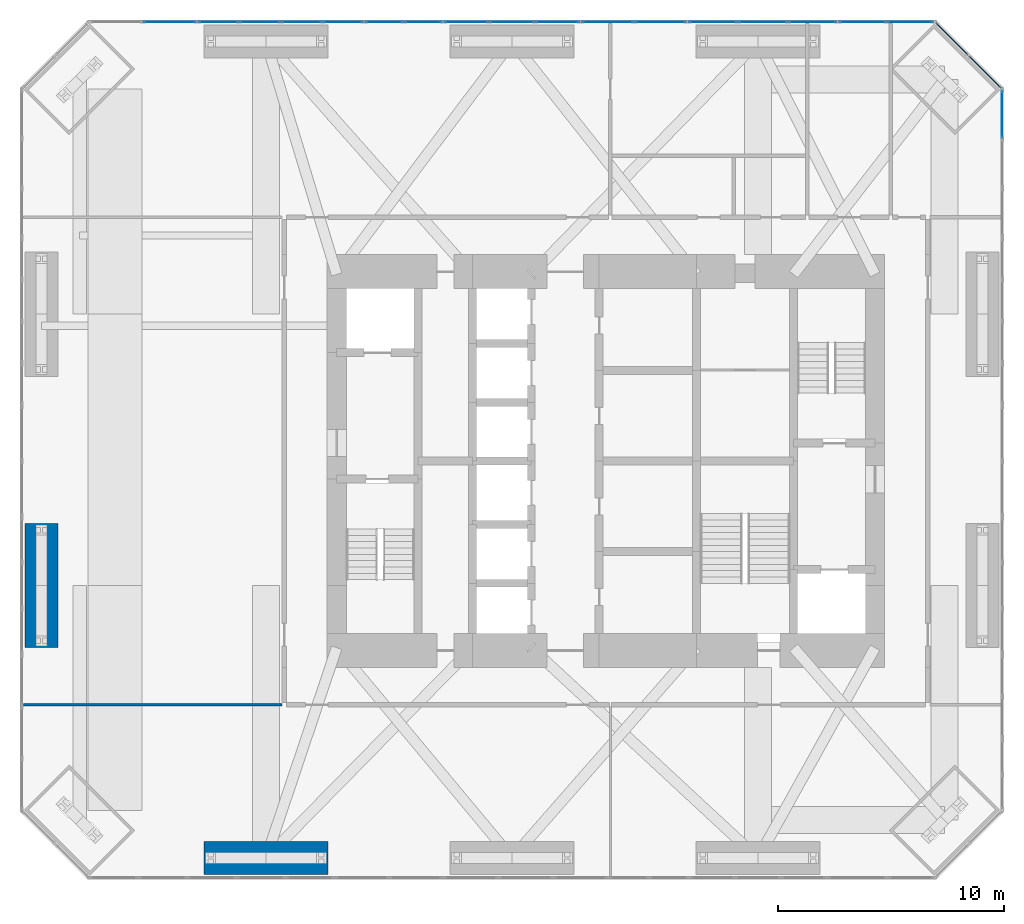
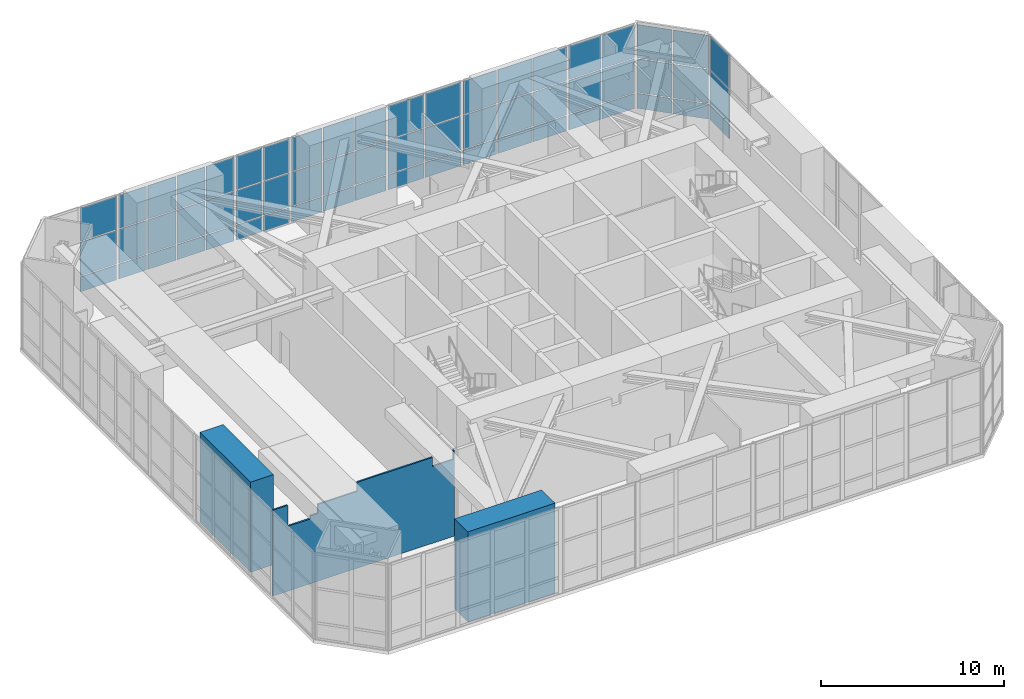
# One storey, part 13 of 18: 60 plates, 3 walls, 9 elements without a shape of their own.
"""IFC4 building model written with IfcOpenShell, lengths in metres."""

from ifc_helpers import new_model, si_unit, direction, frame, frame_2d, origin, origin_2d, place, context, subcontext, project, spatial, polyline, rectangle, outline, extrude, material, layer, layer_set, constituent, constituent_set, type_object, element, aggregate, save


model = new_model("IFC4")

# Units and contexts
model_context = context("Model", 3, precision=1e-05, world=origin(), true_north=direction((0.0, 1.0)))
body_context = subcontext(model_context, "Body", "Model", "MODEL_VIEW")
ifc_project = project(units=[si_unit("LENGTHUNIT", "METRE"), si_unit("AREAUNIT", "SQUARE_METRE"), si_unit("VOLUMEUNIT", "CUBIC_METRE"), si_unit("PLANEANGLEUNIT", "RADIAN"), si_unit("MASSUNIT", "GRAM", prefix="KILO")], contexts=[model_context])

# Site, building, storey
site_placement = place(None, origin())
site = spatial("IfcSite", under=ifc_project, at=site_placement, CompositionType="ELEMENT")
building_placement = place(site_placement, origin())
building = spatial("IfcBuilding", under=site, at=building_placement, Name="Jalousie Tower", CompositionType="ELEMENT")
storey_placement = place(building_placement, frame((0.0, 0.0, 138.35009765625)))
storey = spatial("IfcBuildingStorey", under=building, at=storey_placement, Name="L38", CompositionType="ELEMENT", Elevation=138.35009765625)

# Curtain wall, plates
ifc_material_1 = material(Name="Aluminium curtain wall", Category="aluminium")
curtain_wall_type_1 = type_object("IfcCurtainWallType", Name="SKY LOUNGE SPANDREL WALL", PredefinedType="USERDEFINED", material=ifc_material_1)
curtain_wall_1_placement = place(storey_placement, origin())
curtain_wall_1 = element("IfcCurtainWall", 1, at=curtain_wall_1_placement, inside=storey, type_object=curtain_wall_type_1, Name="Sky Lounge Spandrel Wall L38 4", ObjectType="SKY LOUNGE SPANDREL WALL", PredefinedType="USERDEFINED")
ifc_material_2 = material(Name="Laminated impact-rated spandrel glass", Category="glass")
ifc_layer_1 = layer(ifc_material_2, 0.035888671875)
ifc_layer_set_1 = layer_set([ifc_layer_1], Name="Laminated impact-rated spandrel glass")
plate_type_1 = type_object("IfcPlateType", Name="SKY LOUNGE SPANDREL WALL PANEL", PredefinedType="CURTAIN_PANEL", material=ifc_layer_set_1)
plate_1_placement = place(storey_placement, frame((48.658203125, 35.702880859375, 0.07470703125), z_axis=(0.0, 0.0, 1.0), x_axis=(-0.707106781187, 0.707106781187, 0.0)))
plate_1 = element("IfcPlate", 2, at=plate_1_placement, type_object=plate_type_1, Name="CW-KS panel 1.1", PredefinedType="CURTAIN_PANEL", context=body_context, shape_type="SweptSolid", body=[
    extrude(rectangle(XDim=1.983154296875, YDim=0.035888671875, at=origin_2d()), origin(), (0.0, 0.0, 1.0), 0.987548828125),
])
plate_2_placement = place(storey_placement, frame((48.658203125, 35.702880859375, 1.137451171875), z_axis=(0.0, 0.0, 1.0), x_axis=(-0.707106781187, 0.707106781187, 0.0)))
plate_2 = element("IfcPlate", 3, at=plate_2_placement, type_object=plate_type_1, Name="CW-KS panel 1.2", PredefinedType="CURTAIN_PANEL", context=body_context, shape_type="SweptSolid", body=[
    extrude(rectangle(XDim=1.983154296875, YDim=0.035888671875, at=origin_2d()), origin(), (0.0, 0.0, 1.0), 2.22509765625),
])
plate_3_placement = place(storey_placement, frame((48.658203125, 35.702880859375, 3.4375), z_axis=(0.0, 0.0, 1.0), x_axis=(-0.707106781187, 0.707106781187, 0.0)))
plate_3 = element("IfcPlate", 4, at=plate_3_placement, type_object=plate_type_1, Name="CW-KS panel 1.3", PredefinedType="CURTAIN_PANEL", context=body_context, shape_type="SweptSolid", body=[
    extrude(rectangle(XDim=1.983154296875, YDim=0.035888671875, at=origin_2d()), origin(), (0.0, 0.0, 1.0), 2.20751953125),
])
plate_4_placement = place(storey_placement, frame((47.202880859375, 37.158203125, 0.07470703125), z_axis=(0.0, 0.0, 1.0), x_axis=(-0.707106781187, 0.707106781187, 0.0)))
plate_4 = element("IfcPlate", 5, at=plate_4_placement, type_object=plate_type_1, Name="CW-KS panel 2.1", PredefinedType="CURTAIN_PANEL", context=body_context, shape_type="SweptSolid", body=[
    extrude(rectangle(XDim=1.983154296875, YDim=0.035888671875, at=origin_2d()), origin(), (0.0, 0.0, 1.0), 0.987548828125),
])
plate_5_placement = place(storey_placement, frame((47.202880859375, 37.158203125, 1.137451171875), z_axis=(0.0, 0.0, 1.0), x_axis=(-0.707106781187, 0.707106781187, 0.0)))
plate_5 = element("IfcPlate", 6, at=plate_5_placement, type_object=plate_type_1, Name="CW-KS panel 2.2", PredefinedType="CURTAIN_PANEL", context=body_context, shape_type="SweptSolid", body=[
    extrude(rectangle(XDim=1.983154296875, YDim=0.035888671875, at=origin_2d()), origin(), (0.0, 0.0, 1.0), 2.22509765625),
])
plate_6_placement = place(storey_placement, frame((47.202880859375, 37.158203125, 3.4375), z_axis=(0.0, 0.0, 1.0), x_axis=(-0.707106781187, 0.707106781187, 0.0)))
plate_6 = element("IfcPlate", 7, at=plate_6_placement, type_object=plate_type_1, Name="CW-KS panel 2.3", PredefinedType="CURTAIN_PANEL", context=body_context, shape_type="SweptSolid", body=[
    extrude(rectangle(XDim=1.983154296875, YDim=0.035888671875, at=origin_2d()), origin(), (0.0, 0.0, 1.0), 2.20751953125),
])
aggregate(curtain_wall_1, [plate_1, plate_2, plate_3, plate_4, plate_5, plate_6])

curtain_wall_2_placement = place(storey_placement, origin())
curtain_wall_2 = element("IfcCurtainWall", 8, at=curtain_wall_2_placement, inside=storey, type_object=curtain_wall_type_1, Name="Sky Lounge Spandrel Wall L38 42", ObjectType="SKY LOUNGE SPANDREL WALL", PredefinedType="USERDEFINED")
plate_7_placement = place(storey_placement, frame((41.033935546875, 37.91259765625, 0.07470703125), z_axis=(0.0, 0.0, 1.0), x_axis=(-1.0, 0.0, 0.0)))
plate_7 = element("IfcPlate", 9, at=plate_7_placement, type_object=plate_type_1, Name="CW-KS panel 1.1", PredefinedType="CURTAIN_PANEL", context=body_context, shape_type="SweptSolid", body=[
    extrude(rectangle(XDim=2.1025390625, YDim=0.035888671875, at=origin_2d()), origin(), (0.0, 0.0, 1.0), 0.987548828125),
])
plate_8_placement = place(storey_placement, frame((41.033935546875, 37.91259765625, 1.137451171875), z_axis=(0.0, 0.0, 1.0), x_axis=(-1.0, 0.0, 0.0)))
plate_8 = element("IfcPlate", 10, at=plate_8_placement, type_object=plate_type_1, Name="CW-KS panel 1.2", PredefinedType="CURTAIN_PANEL", context=body_context, shape_type="SweptSolid", body=[
    extrude(rectangle(XDim=2.1025390625, YDim=0.035888671875, at=origin_2d()), origin(), (0.0, 0.0, 1.0), 2.22509765625),
])
plate_9_placement = place(storey_placement, frame((41.033935546875, 37.91259765625, 3.4375), z_axis=(0.0, 0.0, 1.0), x_axis=(-1.0, 0.0, 0.0)))
plate_9 = element("IfcPlate", 11, at=plate_9_placement, type_object=plate_type_1, Name="CW-KS panel 1.3", PredefinedType="CURTAIN_PANEL", context=body_context, shape_type="SweptSolid", body=[
    extrude(rectangle(XDim=2.1025390625, YDim=0.035888671875, at=origin_2d()), origin(), (0.0, 0.0, 1.0), 2.20751953125),
])
plate_10_placement = place(storey_placement, frame((38.837646484375, 37.91259765625, 0.07470703125), z_axis=(0.0, 0.0, 1.0), x_axis=(-1.0, 0.0, 0.0)))
plate_10 = element("IfcPlate", 12, at=plate_10_placement, type_object=plate_type_1, Name="CW-KS panel 2.1", PredefinedType="CURTAIN_PANEL", context=body_context, shape_type="SweptSolid", body=[
    extrude(rectangle(XDim=2.14013671875, YDim=0.035888671875, at=origin_2d()), origin(), (0.0, 0.0, 1.0), 0.987548828125),
])
plate_11_placement = place(storey_placement, frame((38.837646484375, 37.91259765625, 1.137451171875), z_axis=(0.0, 0.0, 1.0), x_axis=(-1.0, 0.0, 0.0)))
plate_11 = element("IfcPlate", 13, at=plate_11_placement, type_object=plate_type_1, Name="CW-KS panel 2.2", PredefinedType="CURTAIN_PANEL", context=body_context, shape_type="SweptSolid", body=[
    extrude(rectangle(XDim=2.14013671875, YDim=0.035888671875, at=origin_2d()), origin(), (0.0, 0.0, 1.0), 2.22509765625),
])
plate_12_placement = place(storey_placement, frame((38.837646484375, 37.91259765625, 3.4375), z_axis=(0.0, 0.0, 1.0), x_axis=(-1.0, 0.0, 0.0)))
plate_12 = element("IfcPlate", 14, at=plate_12_placement, type_object=plate_type_1, Name="CW-KS panel 2.3", PredefinedType="CURTAIN_PANEL", context=body_context, shape_type="SweptSolid", body=[
    extrude(rectangle(XDim=2.14013671875, YDim=0.035888671875, at=origin_2d()), origin(), (0.0, 0.0, 1.0), 2.20751953125),
])
plate_13_placement = place(storey_placement, frame((36.641357421875, 37.91259765625, 0.07470703125), z_axis=(0.0, 0.0, 1.0), x_axis=(-1.0, 0.0, 0.0)))
plate_13 = element("IfcPlate", 15, at=plate_13_placement, type_object=plate_type_1, Name="CW-KS panel 3.1", PredefinedType="CURTAIN_PANEL", context=body_context, shape_type="SweptSolid", body=[
    extrude(rectangle(XDim=2.1025390625, YDim=0.035888671875, at=origin_2d()), origin(), (0.0, 0.0, 1.0), 0.987548828125),
])
plate_14_placement = place(storey_placement, frame((36.641357421875, 37.91259765625, 1.137451171875), z_axis=(0.0, 0.0, 1.0), x_axis=(-1.0, 0.0, 0.0)))
plate_14 = element("IfcPlate", 16, at=plate_14_placement, type_object=plate_type_1, Name="CW-KS panel 3.2", PredefinedType="CURTAIN_PANEL", context=body_context, shape_type="SweptSolid", body=[
    extrude(rectangle(XDim=2.1025390625, YDim=0.035888671875, at=origin_2d()), origin(), (0.0, 0.0, 1.0), 2.22509765625),
])
plate_15_placement = place(storey_placement, frame((36.641357421875, 37.91259765625, 3.4375), z_axis=(0.0, 0.0, 1.0), x_axis=(-1.0, 0.0, 0.0)))
plate_15 = element("IfcPlate", 17, at=plate_15_placement, type_object=plate_type_1, Name="CW-KS panel 3.3", PredefinedType="CURTAIN_PANEL", context=body_context, shape_type="SweptSolid", body=[
    extrude(rectangle(XDim=2.1025390625, YDim=0.035888671875, at=origin_2d()), origin(), (0.0, 0.0, 1.0), 2.20751953125),
])
aggregate(curtain_wall_2, [plate_7, plate_8, plate_9, plate_10, plate_11, plate_12, plate_13, plate_14, plate_15])

curtain_wall_3_placement = place(storey_placement, origin())
curtain_wall_3 = element("IfcCurtainWall", 18, at=curtain_wall_3_placement, inside=storey, type_object=curtain_wall_type_1, Name="Sky Lounge Spandrel Wall L38 44", ObjectType="SKY LOUNGE SPANDREL WALL", PredefinedType="USERDEFINED")
plate_16_placement = place(storey_placement, frame((29.757568359375, 37.91259765625, 0.07470703125), z_axis=(0.0, 0.0, 1.0), x_axis=(-1.0, 0.0, 0.0)))
plate_16 = element("IfcPlate", 19, at=plate_16_placement, type_object=plate_type_1, Name="CW-KS panel 1.1", PredefinedType="CURTAIN_PANEL", context=body_context, shape_type="SweptSolid", body=[
    extrude(rectangle(XDim=1.913818359375, YDim=0.035888671875, at=origin_2d()), origin(), (0.0, 0.0, 1.0), 0.987548828125),
])
plate_17_placement = place(storey_placement, frame((29.757568359375, 37.91259765625, 1.137451171875), z_axis=(0.0, 0.0, 1.0), x_axis=(-1.0, 0.0, 0.0)))
plate_17 = element("IfcPlate", 20, at=plate_17_placement, type_object=plate_type_1, Name="CW-KS panel 1.2", PredefinedType="CURTAIN_PANEL", context=body_context, shape_type="SweptSolid", body=[
    extrude(rectangle(XDim=1.913818359375, YDim=0.035888671875, at=origin_2d()), origin(), (0.0, 0.0, 1.0), 2.22509765625),
])
plate_18_placement = place(storey_placement, frame((29.757568359375, 37.91259765625, 3.4375), z_axis=(0.0, 0.0, 1.0), x_axis=(-1.0, 0.0, 0.0)))
plate_18 = element("IfcPlate", 21, at=plate_18_placement, type_object=plate_type_1, Name="CW-KS panel 1.3", PredefinedType="CURTAIN_PANEL", context=body_context, shape_type="SweptSolid", body=[
    extrude(rectangle(XDim=1.913818359375, YDim=0.035888671875, at=origin_2d()), origin(), (0.0, 0.0, 1.0), 2.20751953125),
])
plate_19_placement = place(storey_placement, frame((27.75, 37.91259765625, 0.07470703125), z_axis=(0.0, 0.0, 1.0), x_axis=(-1.0, 0.0, 0.0)))
plate_19 = element("IfcPlate", 22, at=plate_19_placement, type_object=plate_type_1, Name="CW-KS panel 2.1", PredefinedType="CURTAIN_PANEL", context=body_context, shape_type="SweptSolid", body=[
    extrude(rectangle(XDim=1.951416015625, YDim=0.035888671875, at=origin_2d()), origin(), (0.0, 0.0, 1.0), 0.987548828125),
])
plate_20_placement = place(storey_placement, frame((27.75, 37.91259765625, 1.137451171875), z_axis=(0.0, 0.0, 1.0), x_axis=(-1.0, 0.0, 0.0)))
plate_20 = element("IfcPlate", 23, at=plate_20_placement, type_object=plate_type_1, Name="CW-KS panel 2.2", PredefinedType="CURTAIN_PANEL", context=body_context, shape_type="SweptSolid", body=[
    extrude(rectangle(XDim=1.951416015625, YDim=0.035888671875, at=origin_2d()), origin(), (0.0, 0.0, 1.0), 2.22509765625),
])
plate_21_placement = place(storey_placement, frame((27.75, 37.91259765625, 3.4375), z_axis=(0.0, 0.0, 1.0), x_axis=(-1.0, 0.0, 0.0)))
plate_21 = element("IfcPlate", 24, at=plate_21_placement, type_object=plate_type_1, Name="CW-KS panel 2.3", PredefinedType="CURTAIN_PANEL", context=body_context, shape_type="SweptSolid", body=[
    extrude(rectangle(XDim=1.951416015625, YDim=0.035888671875, at=origin_2d()), origin(), (0.0, 0.0, 1.0), 2.20751953125),
])
plate_22_placement = place(storey_placement, frame((25.742431640625, 37.91259765625, 0.07470703125), z_axis=(0.0, 0.0, 1.0), x_axis=(-1.0, 0.0, 0.0)))
plate_22 = element("IfcPlate", 25, at=plate_22_placement, type_object=plate_type_1, Name="CW-KS panel 3.1", PredefinedType="CURTAIN_PANEL", context=body_context, shape_type="SweptSolid", body=[
    extrude(rectangle(XDim=1.913818359375, YDim=0.035888671875, at=origin_2d()), origin(), (0.0, 0.0, 1.0), 0.987548828125),
])
plate_23_placement = place(storey_placement, frame((25.742431640625, 37.91259765625, 1.137451171875), z_axis=(0.0, 0.0, 1.0), x_axis=(-1.0, 0.0, 0.0)))
plate_23 = element("IfcPlate", 26, at=plate_23_placement, type_object=plate_type_1, Name="CW-KS panel 3.2", PredefinedType="CURTAIN_PANEL", context=body_context, shape_type="SweptSolid", body=[
    extrude(rectangle(XDim=1.913818359375, YDim=0.035888671875, at=origin_2d()), origin(), (0.0, 0.0, 1.0), 2.22509765625),
])
plate_24_placement = place(storey_placement, frame((25.742431640625, 37.91259765625, 3.4375), z_axis=(0.0, 0.0, 1.0), x_axis=(-1.0, 0.0, 0.0)))
plate_24 = element("IfcPlate", 27, at=plate_24_placement, type_object=plate_type_1, Name="CW-KS panel 3.3", PredefinedType="CURTAIN_PANEL", context=body_context, shape_type="SweptSolid", body=[
    extrude(rectangle(XDim=1.913818359375, YDim=0.035888671875, at=origin_2d()), origin(), (0.0, 0.0, 1.0), 2.20751953125),
])
aggregate(curtain_wall_3, [plate_16, plate_17, plate_18, plate_19, plate_20, plate_21, plate_22, plate_23, plate_24])

curtain_wall_4_placement = place(storey_placement, origin())
curtain_wall_4 = element("IfcCurtainWall", 28, at=curtain_wall_4_placement, inside=storey, type_object=curtain_wall_type_1, Name="Sky Lounge Spandrel Wall L38 46", ObjectType="SKY LOUNGE SPANDREL WALL", PredefinedType="USERDEFINED")
plate_25_placement = place(storey_placement, frame((20.278076171875, 37.91259765625, 0.07470703125), z_axis=(0.0, 0.0, 1.0), x_axis=(-1.0, 0.0, 0.0)))
plate_25 = element("IfcPlate", 29, at=plate_25_placement, type_object=plate_type_1, Name="CW-KS panel 1.1", PredefinedType="CURTAIN_PANEL", context=body_context, shape_type="SweptSolid", body=[
    extrude(rectangle(XDim=1.733642578125, YDim=0.035888671875, at=origin_2d()), origin(), (0.0, 0.0, 1.0), 0.987548828125),
])
plate_26_placement = place(storey_placement, frame((20.278076171875, 37.91259765625, 1.137451171875), z_axis=(0.0, 0.0, 1.0), x_axis=(-1.0, 0.0, 0.0)))
plate_26 = element("IfcPlate", 30, at=plate_26_placement, type_object=plate_type_1, Name="CW-KS panel 1.2", PredefinedType="CURTAIN_PANEL", context=body_context, shape_type="SweptSolid", body=[
    extrude(rectangle(XDim=1.733642578125, YDim=0.035888671875, at=origin_2d()), origin(), (0.0, 0.0, 1.0), 2.22509765625),
])
plate_27_placement = place(storey_placement, frame((20.278076171875, 37.91259765625, 3.4375), z_axis=(0.0, 0.0, 1.0), x_axis=(-1.0, 0.0, 0.0)))
plate_27 = element("IfcPlate", 31, at=plate_27_placement, type_object=plate_type_1, Name="CW-KS panel 1.3", PredefinedType="CURTAIN_PANEL", context=body_context, shape_type="SweptSolid", body=[
    extrude(rectangle(XDim=1.733642578125, YDim=0.035888671875, at=origin_2d()), origin(), (0.0, 0.0, 1.0), 2.20751953125),
])
plate_28_placement = place(storey_placement, frame((18.450927734375, 37.91259765625, 0.07470703125), z_axis=(0.0, 0.0, 1.0), x_axis=(-1.0, 0.0, 0.0)))
plate_28 = element("IfcPlate", 32, at=plate_28_placement, type_object=plate_type_1, Name="CW-KS panel 2.1", PredefinedType="CURTAIN_PANEL", context=body_context, shape_type="SweptSolid", body=[
    extrude(rectangle(XDim=1.771240234375, YDim=0.035888671875, at=origin_2d()), origin(), (0.0, 0.0, 1.0), 0.987548828125),
])
plate_29_placement = place(storey_placement, frame((18.450927734375, 37.91259765625, 1.137451171875), z_axis=(0.0, 0.0, 1.0), x_axis=(-1.0, 0.0, 0.0)))
plate_29 = element("IfcPlate", 33, at=plate_29_placement, type_object=plate_type_1, Name="CW-KS panel 2.2", PredefinedType="CURTAIN_PANEL", context=body_context, shape_type="SweptSolid", body=[
    extrude(rectangle(XDim=1.771240234375, YDim=0.035888671875, at=origin_2d()), origin(), (0.0, 0.0, 1.0), 2.22509765625),
])
plate_30_placement = place(storey_placement, frame((18.450927734375, 37.91259765625, 3.4375), z_axis=(0.0, 0.0, 1.0), x_axis=(-1.0, 0.0, 0.0)))
plate_30 = element("IfcPlate", 34, at=plate_30_placement, type_object=plate_type_1, Name="CW-KS panel 2.3", PredefinedType="CURTAIN_PANEL", context=body_context, shape_type="SweptSolid", body=[
    extrude(rectangle(XDim=1.771240234375, YDim=0.035888671875, at=origin_2d()), origin(), (0.0, 0.0, 1.0), 2.20751953125),
])
plate_31_placement = place(storey_placement, frame((16.604736328125, 37.91259765625, 0.07470703125), z_axis=(0.0, 0.0, 1.0), x_axis=(-1.0, 0.0, 0.0)))
plate_31 = element("IfcPlate", 35, at=plate_31_placement, type_object=plate_type_1, Name="CW-KS panel 3.1", PredefinedType="CURTAIN_PANEL", context=body_context, shape_type="SweptSolid", body=[
    extrude(rectangle(XDim=1.771240234375, YDim=0.035888671875, at=origin_2d()), origin(), (0.0, 0.0, 1.0), 0.987548828125),
])
plate_32_placement = place(storey_placement, frame((16.604736328125, 37.91259765625, 1.137451171875), z_axis=(0.0, 0.0, 1.0), x_axis=(-1.0, 0.0, 0.0)))
plate_32 = element("IfcPlate", 36, at=plate_32_placement, type_object=plate_type_1, Name="CW-KS panel 3.2", PredefinedType="CURTAIN_PANEL", context=body_context, shape_type="SweptSolid", body=[
    extrude(rectangle(XDim=1.771240234375, YDim=0.035888671875, at=origin_2d()), origin(), (0.0, 0.0, 1.0), 2.22509765625),
])
plate_33_placement = place(storey_placement, frame((16.604736328125, 37.91259765625, 3.4375), z_axis=(0.0, 0.0, 1.0), x_axis=(-1.0, 0.0, 0.0)))
plate_33 = element("IfcPlate", 37, at=plate_33_placement, type_object=plate_type_1, Name="CW-KS panel 3.3", PredefinedType="CURTAIN_PANEL", context=body_context, shape_type="SweptSolid", body=[
    extrude(rectangle(XDim=1.771240234375, YDim=0.035888671875, at=origin_2d()), origin(), (0.0, 0.0, 1.0), 2.20751953125),
])
plate_34_placement = place(storey_placement, frame((14.77734375, 37.91259765625, 0.07470703125), z_axis=(0.0, 0.0, 1.0), x_axis=(-1.0, 0.0, 0.0)))
plate_34 = element("IfcPlate", 38, at=plate_34_placement, type_object=plate_type_1, Name="CW-KS panel 4.1", PredefinedType="CURTAIN_PANEL", context=body_context, shape_type="SweptSolid", body=[
    extrude(rectangle(XDim=1.733642578125, YDim=0.035888671875, at=origin_2d()), origin(), (0.0, 0.0, 1.0), 0.987548828125),
])
plate_35_placement = place(storey_placement, frame((14.77734375, 37.91259765625, 1.137451171875), z_axis=(0.0, 0.0, 1.0), x_axis=(-1.0, 0.0, 0.0)))
plate_35 = element("IfcPlate", 39, at=plate_35_placement, type_object=plate_type_1, Name="CW-KS panel 4.2", PredefinedType="CURTAIN_PANEL", context=body_context, shape_type="SweptSolid", body=[
    extrude(rectangle(XDim=1.733642578125, YDim=0.035888671875, at=origin_2d()), origin(), (0.0, 0.0, 1.0), 2.22509765625),
])
plate_36_placement = place(storey_placement, frame((14.77734375, 37.91259765625, 3.4375), z_axis=(0.0, 0.0, 1.0), x_axis=(-1.0, 0.0, 0.0)))
plate_36 = element("IfcPlate", 40, at=plate_36_placement, type_object=plate_type_1, Name="CW-KS panel 4.3", PredefinedType="CURTAIN_PANEL", context=body_context, shape_type="SweptSolid", body=[
    extrude(rectangle(XDim=1.733642578125, YDim=0.035888671875, at=origin_2d()), origin(), (0.0, 0.0, 1.0), 2.20751953125),
])
aggregate(curtain_wall_4, [plate_25, plate_26, plate_27, plate_28, plate_29, plate_30, plate_31, plate_32, plate_33, plate_34, plate_35, plate_36])

ifc_material_3 = material(Name="Aluminium curtain wall", Category="aluminium")
curtain_wall_type_2 = type_object("IfcCurtainWallType", Name="SKY LOUNGE WINDOW WALL", PredefinedType="USERDEFINED", material=ifc_material_3)
curtain_wall_5_placement = place(storey_placement, origin())
curtain_wall_5 = element("IfcCurtainWall", 41, at=curtain_wall_5_placement, inside=storey, type_object=curtain_wall_type_2, Name="Sky Lounge Window Wall L38 26", ObjectType="SKY LOUNGE WINDOW WALL", PredefinedType="USERDEFINED")
ifc_material_4 = material(Name="Laminated impact-rated glass", Category="glass")
ifc_layer_2 = layer(ifc_material_4, 0.035888671875)
ifc_layer_set_2 = layer_set([ifc_layer_2], Name="Laminated impact-rated glass")
plate_type_2 = type_object("IfcPlateType", Name="SKY LOUNGE WINDOW WALL PANEL", PredefinedType="CURTAIN_PANEL", material=ifc_layer_set_2)
plate_37_placement = place(storey_placement, frame((49.41259765625, 33.833984375, 0.07470703125), z_axis=(0.0, 0.0, 1.0), x_axis=(0.0, 1.0, 0.0)))
plate_37 = element("IfcPlate", 42, at=plate_37_placement, type_object=plate_type_2, Name="CW-K panel 3.1", PredefinedType="CURTAIN_PANEL", context=body_context, shape_type="SweptSolid", body=[
    extrude(rectangle(XDim=2.07958984375, YDim=0.035888671875, at=origin_2d()), origin(), (0.0, 0.0, 1.0), 0.987548828125),
])
plate_38_placement = place(storey_placement, frame((49.41259765625, 33.833984375, 1.137451171875), z_axis=(0.0, 0.0, 1.0), x_axis=(0.0, 1.0, 0.0)))
plate_38 = element("IfcPlate", 43, at=plate_38_placement, type_object=plate_type_2, Name="CW-K panel 3.2", PredefinedType="CURTAIN_PANEL", context=body_context, shape_type="SweptSolid", body=[
    extrude(rectangle(XDim=2.07958984375, YDim=0.035888671875, at=origin_2d()), origin(), (0.0, 0.0, 1.0), 2.22509765625),
])
plate_39_placement = place(storey_placement, frame((49.41259765625, 33.833984375, 3.4375), z_axis=(0.0, 0.0, 1.0), x_axis=(0.0, 1.0, 0.0)))
plate_39 = element("IfcPlate", 44, at=plate_39_placement, type_object=plate_type_2, Name="CW-K panel 3.3", PredefinedType="CURTAIN_PANEL", context=body_context, shape_type="SweptSolid", body=[
    extrude(rectangle(XDim=2.07958984375, YDim=0.035888671875, at=origin_2d()), origin(), (0.0, 0.0, 1.0), 2.20751953125),
])
aggregate(curtain_wall_5, [plate_37, plate_38, plate_39])

curtain_wall_6_placement = place(storey_placement, origin())
curtain_wall_6 = element("IfcCurtainWall", 45, at=curtain_wall_6_placement, inside=storey, type_object=curtain_wall_type_2, Name="Sky Lounge Window Wall L38 41", ObjectType="SKY LOUNGE WINDOW WALL", PredefinedType="USERDEFINED")
plate_40_placement = place(storey_placement, frame((45.35791015625, 37.91259765625, 0.07470703125), z_axis=(0.0, 0.0, 1.0), x_axis=(-1.0, 0.0, 0.0)))
plate_40 = element("IfcPlate", 46, at=plate_40_placement, type_object=plate_type_2, Name="CW-K panel 1.1", PredefinedType="CURTAIN_PANEL", context=body_context, shape_type="SweptSolid", body=[
    extrude(rectangle(XDim=2.03173828125, YDim=0.035888671875, at=origin_2d()), origin(), (0.0, 0.0, 1.0), 0.987548828125),
])
plate_41_placement = place(storey_placement, frame((45.35791015625, 37.91259765625, 1.137451171875), z_axis=(0.0, 0.0, 1.0), x_axis=(-1.0, 0.0, 0.0)))
plate_41 = element("IfcPlate", 47, at=plate_41_placement, type_object=plate_type_2, Name="CW-K panel 1.2", PredefinedType="CURTAIN_PANEL", context=body_context, shape_type="SweptSolid", body=[
    extrude(rectangle(XDim=2.03173828125, YDim=0.035888671875, at=origin_2d()), origin(), (0.0, 0.0, 1.0), 2.22509765625),
])
plate_42_placement = place(storey_placement, frame((45.35791015625, 37.91259765625, 3.4375), z_axis=(0.0, 0.0, 1.0), x_axis=(-1.0, 0.0, 0.0)))
plate_42 = element("IfcPlate", 48, at=plate_42_placement, type_object=plate_type_2, Name="CW-K panel 1.3", PredefinedType="CURTAIN_PANEL", context=body_context, shape_type="SweptSolid", body=[
    extrude(rectangle(XDim=2.03173828125, YDim=0.035888671875, at=origin_2d()), origin(), (0.0, 0.0, 1.0), 2.20751953125),
])
plate_43_placement = place(storey_placement, frame((43.2509765625, 37.91259765625, 0.07470703125), z_axis=(0.0, 0.0, 1.0), x_axis=(-1.0, 0.0, 0.0)))
plate_43 = element("IfcPlate", 49, at=plate_43_placement, type_object=plate_type_2, Name="CW-K panel 2.1", PredefinedType="CURTAIN_PANEL", context=body_context, shape_type="SweptSolid", body=[
    extrude(rectangle(XDim=2.03173828125, YDim=0.035888671875, at=origin_2d()), origin(), (0.0, 0.0, 1.0), 0.987548828125),
])
plate_44_placement = place(storey_placement, frame((43.2509765625, 37.91259765625, 1.137451171875), z_axis=(0.0, 0.0, 1.0), x_axis=(-1.0, 0.0, 0.0)))
plate_44 = element("IfcPlate", 50, at=plate_44_placement, type_object=plate_type_2, Name="CW-K panel 2.2", PredefinedType="CURTAIN_PANEL", context=body_context, shape_type="SweptSolid", body=[
    extrude(rectangle(XDim=2.03173828125, YDim=0.035888671875, at=origin_2d()), origin(), (0.0, 0.0, 1.0), 2.22509765625),
])
plate_45_placement = place(storey_placement, frame((43.2509765625, 37.91259765625, 3.4375), z_axis=(0.0, 0.0, 1.0), x_axis=(-1.0, 0.0, 0.0)))
plate_45 = element("IfcPlate", 51, at=plate_45_placement, type_object=plate_type_2, Name="CW-K panel 2.3", PredefinedType="CURTAIN_PANEL", context=body_context, shape_type="SweptSolid", body=[
    extrude(rectangle(XDim=2.03173828125, YDim=0.035888671875, at=origin_2d()), origin(), (0.0, 0.0, 1.0), 2.20751953125),
])
aggregate(curtain_wall_6, [plate_40, plate_41, plate_42, plate_43, plate_44, plate_45])

curtain_wall_7_placement = place(storey_placement, origin())
curtain_wall_7 = element("IfcCurtainWall", 52, at=curtain_wall_7_placement, inside=storey, type_object=curtain_wall_type_2, Name="Sky Lounge Window Wall L38 43", ObjectType="SKY LOUNGE WINDOW WALL", PredefinedType="USERDEFINED")
plate_46_placement = place(storey_placement, frame((34.31494140625, 37.91259765625, 0.07470703125), z_axis=(0.0, 0.0, 1.0), x_axis=(-1.0, 0.0, 0.0)))
plate_46 = element("IfcPlate", 53, at=plate_46_placement, type_object=plate_type_2, Name="CW-K panel 1.1", PredefinedType="CURTAIN_PANEL", context=body_context, shape_type="SweptSolid", body=[
    extrude(rectangle(XDim=2.250244140625, YDim=0.035888671875, at=origin_2d()), origin(), (0.0, 0.0, 1.0), 0.987548828125),
])
plate_47_placement = place(storey_placement, frame((34.31494140625, 37.91259765625, 1.137451171875), z_axis=(0.0, 0.0, 1.0), x_axis=(-1.0, 0.0, 0.0)))
plate_47 = element("IfcPlate", 54, at=plate_47_placement, type_object=plate_type_2, Name="CW-K panel 1.2", PredefinedType="CURTAIN_PANEL", context=body_context, shape_type="SweptSolid", body=[
    extrude(rectangle(XDim=2.250244140625, YDim=0.035888671875, at=origin_2d()), origin(), (0.0, 0.0, 1.0), 2.22509765625),
])
plate_48_placement = place(storey_placement, frame((34.31494140625, 37.91259765625, 3.4375), z_axis=(0.0, 0.0, 1.0), x_axis=(-1.0, 0.0, 0.0)))
plate_48 = element("IfcPlate", 55, at=plate_48_placement, type_object=plate_type_2, Name="CW-K panel 1.3", PredefinedType="CURTAIN_PANEL", context=body_context, shape_type="SweptSolid", body=[
    extrude(rectangle(XDim=2.250244140625, YDim=0.035888671875, at=origin_2d()), origin(), (0.0, 0.0, 1.0), 2.20751953125),
])
plate_49_placement = place(storey_placement, frame((31.98974609375, 37.91259765625, 0.07470703125), z_axis=(0.0, 0.0, 1.0), x_axis=(-1.0, 0.0, 0.0)))
plate_49 = element("IfcPlate", 56, at=plate_49_placement, type_object=plate_type_2, Name="CW-K panel 2.1", PredefinedType="CURTAIN_PANEL", context=body_context, shape_type="SweptSolid", body=[
    extrude(rectangle(XDim=2.250244140625, YDim=0.035888671875, at=origin_2d()), origin(), (0.0, 0.0, 1.0), 0.987548828125),
])
plate_50_placement = place(storey_placement, frame((31.98974609375, 37.91259765625, 1.137451171875), z_axis=(0.0, 0.0, 1.0), x_axis=(-1.0, 0.0, 0.0)))
plate_50 = element("IfcPlate", 57, at=plate_50_placement, type_object=plate_type_2, Name="CW-K panel 2.2", PredefinedType="CURTAIN_PANEL", context=body_context, shape_type="SweptSolid", body=[
    extrude(rectangle(XDim=2.250244140625, YDim=0.035888671875, at=origin_2d()), origin(), (0.0, 0.0, 1.0), 2.22509765625),
])
plate_51_placement = place(storey_placement, frame((31.98974609375, 37.91259765625, 3.4375), z_axis=(0.0, 0.0, 1.0), x_axis=(-1.0, 0.0, 0.0)))
plate_51 = element("IfcPlate", 58, at=plate_51_placement, type_object=plate_type_2, Name="CW-K panel 2.3", PredefinedType="CURTAIN_PANEL", context=body_context, shape_type="SweptSolid", body=[
    extrude(rectangle(XDim=2.250244140625, YDim=0.035888671875, at=origin_2d()), origin(), (0.0, 0.0, 1.0), 2.20751953125),
])
aggregate(curtain_wall_7, [plate_46, plate_47, plate_48, plate_49, plate_50, plate_51])

curtain_wall_8_placement = place(storey_placement, origin())
curtain_wall_8 = element("IfcCurtainWall", 59, at=curtain_wall_8_placement, inside=storey, type_object=curtain_wall_type_2, Name="Sky Lounge Window Wall L38 45", ObjectType="SKY LOUNGE WINDOW WALL", PredefinedType="USERDEFINED")
plate_52_placement = place(storey_placement, frame((23.819091796875, 37.91259765625, 0.07470703125), z_axis=(0.0, 0.0, 1.0), x_axis=(-1.0, 0.0, 0.0)))
plate_52 = element("IfcPlate", 60, at=plate_52_placement, type_object=plate_type_2, Name="CW-K panel 1.1", PredefinedType="CURTAIN_PANEL", context=body_context, shape_type="SweptSolid", body=[
    extrude(rectangle(XDim=1.6328125, YDim=0.035888671875, at=origin_2d()), origin(), (0.0, 0.0, 1.0), 0.987548828125),
])
plate_53_placement = place(storey_placement, frame((23.819091796875, 37.91259765625, 1.137451171875), z_axis=(0.0, 0.0, 1.0), x_axis=(-1.0, 0.0, 0.0)))
plate_53 = element("IfcPlate", 61, at=plate_53_placement, type_object=plate_type_2, Name="CW-K panel 1.2", PredefinedType="CURTAIN_PANEL", context=body_context, shape_type="SweptSolid", body=[
    extrude(rectangle(XDim=1.6328125, YDim=0.035888671875, at=origin_2d()), origin(), (0.0, 0.0, 1.0), 2.22509765625),
])
plate_54_placement = place(storey_placement, frame((23.819091796875, 37.91259765625, 3.4375), z_axis=(0.0, 0.0, 1.0), x_axis=(-1.0, 0.0, 0.0)))
plate_54 = element("IfcPlate", 62, at=plate_54_placement, type_object=plate_type_2, Name="CW-K panel 1.3", PredefinedType="CURTAIN_PANEL", context=body_context, shape_type="SweptSolid", body=[
    extrude(rectangle(XDim=1.6328125, YDim=0.035888671875, at=origin_2d()), origin(), (0.0, 0.0, 1.0), 2.20751953125),
])
plate_55_placement = place(storey_placement, frame((22.111328125, 37.91259765625, 0.07470703125), z_axis=(0.0, 0.0, 1.0), x_axis=(-1.0, 0.0, 0.0)))
plate_55 = element("IfcPlate", 63, at=plate_55_placement, type_object=plate_type_2, Name="CW-K panel 2.1", PredefinedType="CURTAIN_PANEL", context=body_context, shape_type="SweptSolid", body=[
    extrude(rectangle(XDim=1.6328125, YDim=0.035888671875, at=origin_2d()), origin(), (0.0, 0.0, 1.0), 0.987548828125),
])
plate_56_placement = place(storey_placement, frame((22.111328125, 37.91259765625, 1.137451171875), z_axis=(0.0, 0.0, 1.0), x_axis=(-1.0, 0.0, 0.0)))
plate_56 = element("IfcPlate", 64, at=plate_56_placement, type_object=plate_type_2, Name="CW-K panel 2.2", PredefinedType="CURTAIN_PANEL", context=body_context, shape_type="SweptSolid", body=[
    extrude(rectangle(XDim=1.6328125, YDim=0.035888671875, at=origin_2d()), origin(), (0.0, 0.0, 1.0), 2.22509765625),
])
plate_57_placement = place(storey_placement, frame((22.111328125, 37.91259765625, 3.4375), z_axis=(0.0, 0.0, 1.0), x_axis=(-1.0, 0.0, 0.0)))
plate_57 = element("IfcPlate", 65, at=plate_57_placement, type_object=plate_type_2, Name="CW-K panel 2.3", PredefinedType="CURTAIN_PANEL", context=body_context, shape_type="SweptSolid", body=[
    extrude(rectangle(XDim=1.6328125, YDim=0.035888671875, at=origin_2d()), origin(), (0.0, 0.0, 1.0), 2.20751953125),
])
aggregate(curtain_wall_8, [plate_52, plate_53, plate_54, plate_55, plate_56, plate_57])

curtain_wall_9_placement = place(storey_placement, origin())
curtain_wall_9 = element("IfcCurtainWall", 66, at=curtain_wall_9_placement, inside=storey, type_object=curtain_wall_type_2, Name="Sky Lounge Window Wall L38 47", ObjectType="SKY LOUNGE WINDOW WALL", PredefinedType="USERDEFINED")
plate_58_placement = place(storey_placement, frame((12.62060546875, 37.91259765625, 0.07470703125), z_axis=(0.0, 0.0, 1.0), x_axis=(-1.0, 0.0, 0.0)))
plate_58 = element("IfcPlate", 67, at=plate_58_placement, type_object=plate_type_2, Name="CW-K panel 1.1", PredefinedType="CURTAIN_PANEL", context=body_context, shape_type="SweptSolid", body=[
    extrude(rectangle(XDim=2.279541015625, YDim=0.035888671875, at=origin_2d()), origin(), (0.0, 0.0, 1.0), 0.987548828125),
])
plate_59_placement = place(storey_placement, frame((12.62060546875, 37.91259765625, 1.137451171875), z_axis=(0.0, 0.0, 1.0), x_axis=(-1.0, 0.0, 0.0)))
plate_59 = element("IfcPlate", 68, at=plate_59_placement, type_object=plate_type_2, Name="CW-K panel 1.2", PredefinedType="CURTAIN_PANEL", context=body_context, shape_type="SweptSolid", body=[
    extrude(rectangle(XDim=2.279541015625, YDim=0.035888671875, at=origin_2d()), origin(), (0.0, 0.0, 1.0), 2.22509765625),
])
plate_60_placement = place(storey_placement, frame((12.62060546875, 37.91259765625, 3.4375), z_axis=(0.0, 0.0, 1.0), x_axis=(-1.0, 0.0, 0.0)))
plate_60 = element("IfcPlate", 69, at=plate_60_placement, type_object=plate_type_2, Name="CW-K panel 1.3", PredefinedType="CURTAIN_PANEL", context=body_context, shape_type="SweptSolid", body=[
    extrude(rectangle(XDim=2.279541015625, YDim=0.035888671875, at=origin_2d()), origin(), (0.0, 0.0, 1.0), 2.20751953125),
])
aggregate(curtain_wall_9, [plate_58, plate_59, plate_60])

# Walls
ifc_material_5 = material(Name="Gypsum board", Category="gypsum")
ifc_constituent_1 = constituent(ifc_material_5, Name="Body")
ifc_material_6 = material(Name="Light-gauge steel studs ASTM A653 SS Grade 33", Category="steel")
ifc_constituent_2 = constituent(ifc_material_6, Name="Framing")
ifc_constituent_set = constituent_set(constituents=[ifc_constituent_1, ifc_constituent_2])
wall_type_1 = type_object("IfcWallType", Name="PARTITION 100", PredefinedType="PARTITIONING", material=ifc_constituent_set)
wall_placement = place(storey_placement, frame((6.14990234375, 7.72509765625, 0.0), z_axis=(0.0, 0.0, 1.0), x_axis=(1.0, 0.0, 0.0)))
element("IfcWall", 70, at=wall_placement, inside=storey, type_object=wall_type_1, Name="Partition 100 L38", PredefinedType="PARTITIONING", context=body_context, shape_type="SweptSolid", body=[
    extrude(outline(polyline([(0.0, 0.0), (11.425048828125, 0.0), (11.425048828125, 5.719970703125), (11.385009765625, 5.719970703125), (11.385009765625, 5.119873046875), (10.06494140625, 5.119873046875), (10.06494140625, 5.719970703125), (5.31005859375, 5.719970703125), (5.31005859375, 5.119873046875), (2.84130859375, 5.119873046875), (2.84130859375, 4.52001953125), (2.372802734375, 4.52001953125), (2.372802734375, 4.31982421875), (0.938232421875, 4.31982421875), (0.938232421875, 5.719970703125), (0.0, 5.719970703125), (0.0, 0.0)])), frame((0.0, 0.050048828125, 0.0), z_axis=(0.0, -1.0, 0.0), x_axis=(1.0, 0.0, 0.0)), (0.0, 0.0, 1.0), 0.10009765625),
])
ifc_material_7 = material(Name="Concrete f'c 120 MPa", Category="concrete")
ifc_layer_3 = layer(ifc_material_7, 1.449951171875)
ifc_layer_set_3 = layer_set([ifc_layer_3], Name="Concrete f'c 120 MPa")
wall_type_2 = type_object("IfcWallType", Name="RC WALL PIER 1450", PredefinedType="SHEAR", material=ifc_layer_set_3)
for number, where, z_axis, x_axis, name in (
    (71, (14.125, 0.949951171875, 0.0), (0.0, 0.0, 1.0), (1.0, 0.0, 0.0), "Wall pier 02 L38"),
    (72, (6.949951171875, 10.25, 0.0), (0.0, 0.0, 1.0), (0.0, 1.0, 0.0), "Wall pier 14 L38"),
):
    element("IfcWall", number, at=place(storey_placement, frame(where, z_axis=z_axis, x_axis=x_axis)), inside=storey, type_object=wall_type_2, Name=name, PredefinedType="SHEAR", context=body_context, shape_type="SweptSolid", body=[
        extrude(rectangle(XDim=5.5, YDim=1.449951171875, at=frame_2d((2.75, 0.0))), origin(), (0.0, 0.0, 1.0), 6.0),
    ])

save(model, "model.ifc")
